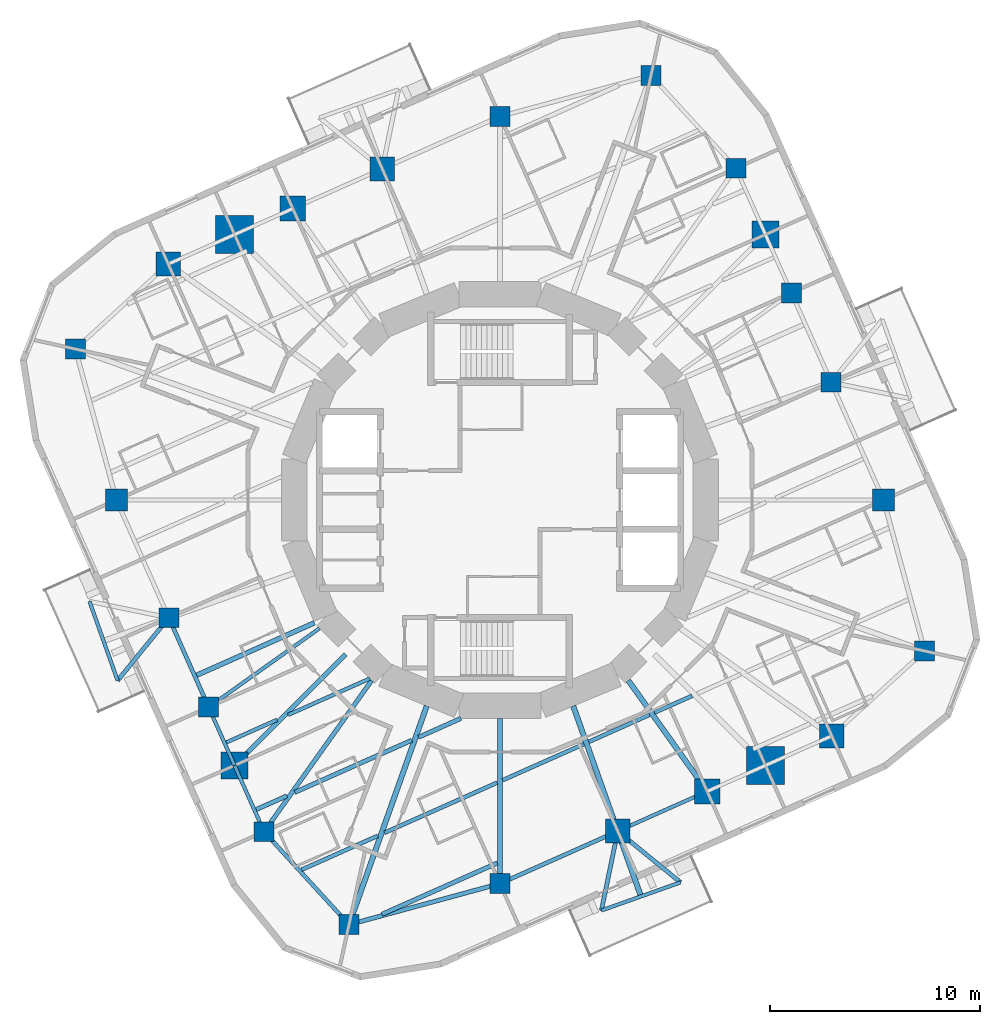
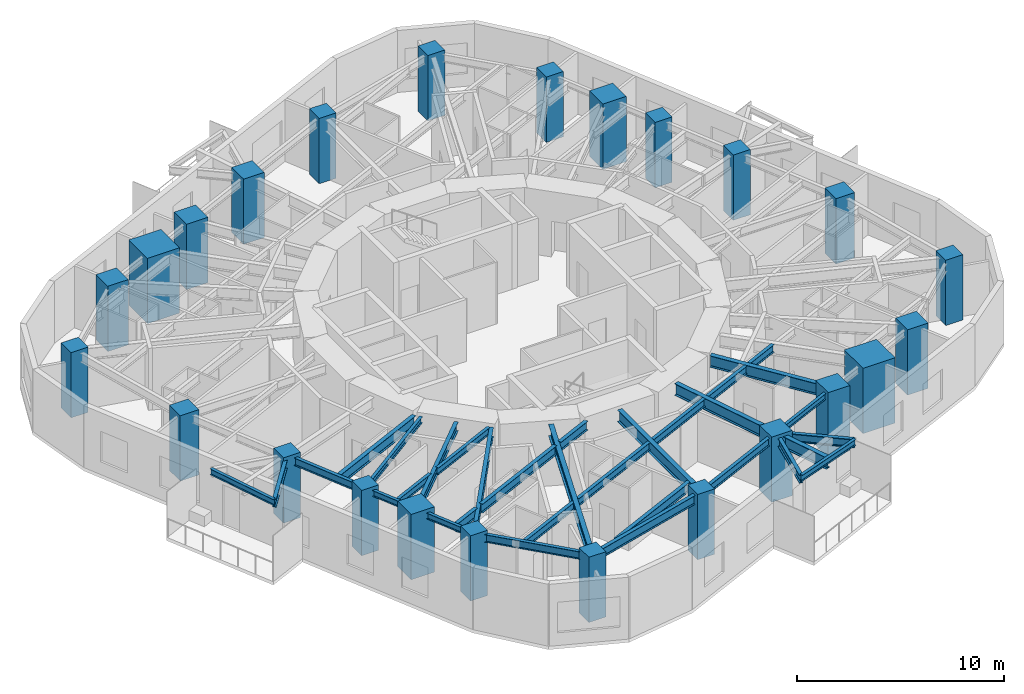
# One storey, part 1 of 12: 31 beams, 24 columns.
"""IFC4 building model written with IfcOpenShell, lengths in metres."""

from ifc_helpers import new_model, si_unit, direction, frame, origin, origin_2d, place, context, subcontext, project, spatial, rectangle, i_section, extrude, material, material_profile, profile_set, type_object, element, save


model = new_model("IFC4")

# Units and contexts
model_context = context("Model", 3, precision=1e-05, world=origin(), true_north=direction((0.0, 1.0)))
body_context = subcontext(model_context, "Body", "Model", "MODEL_VIEW")
ifc_project = project(units=[si_unit("LENGTHUNIT", "METRE"), si_unit("AREAUNIT", "SQUARE_METRE"), si_unit("VOLUMEUNIT", "CUBIC_METRE"), si_unit("PLANEANGLEUNIT", "RADIAN"), si_unit("MASSUNIT", "GRAM", prefix="KILO")], contexts=[model_context])

# Site, building, storey
site_placement = place(None, origin())
site = spatial("IfcSite", under=ifc_project, at=site_placement, CompositionType="ELEMENT")
building_placement = place(site_placement, origin())
building = spatial("IfcBuilding", under=site, at=building_placement, Name="Nakasero Lantern House", CompositionType="ELEMENT")
storey_placement = place(building_placement, frame((0.0, 0.0, 201.699951171875)))
storey = spatial("IfcBuildingStorey", under=building, at=storey_placement, Name="L49", CompositionType="ELEMENT", Elevation=201.699951171875)

# Columns
ifc_material_1 = material(Name="Concrete C45/55", Category="concrete")
ifc_material_profile_1 = material_profile(ifc_material_1, rectangle(XDim=1.300048828125, YDim=1.300048828125, at=origin_2d()), Name="RC 1300x1300")
ifc_profile_set_1 = profile_set([ifc_material_profile_1], Name="Concrete C45/55")
column_type_1 = type_object("IfcColumnType", Name="Mega column RC 1300x1300 C45/55", PredefinedType="COLUMN", material=ifc_profile_set_1)
for number, where, z_axis, x_axis, name in (
    (1, (12.64892578125, 12.64892578125, 0.0), (0.0, 0.0, 1.0), (1.0, 0.0, 0.0), "Column B5-C06 L49"),
    (2, (-12.64892578125, -12.64892578125, 0.0), (0.0, 0.0, 1.0), (1.0, 0.0, 0.0), "Column B5-C18 L49"),
):
    element("IfcColumn", number, at=place(storey_placement, frame(where, z_axis=z_axis, x_axis=x_axis)), inside=storey, type_object=column_type_1, Name=name, PredefinedType="COLUMN", context=body_context, shape_type="SweptSolid", body=[
        extrude(rectangle(XDim=1.300048828125, YDim=1.300048828125, at=origin_2d()), origin(), (0.0, 0.0, 1.0), 3.85009765625),
    ])
ifc_material_2 = material(Name="Concrete C45/55", Category="concrete")
ifc_material_profile_2 = material_profile(ifc_material_2, rectangle(XDim=1.800048828125, YDim=1.800048828125, at=origin_2d()), Name="RC 1800x1800")
ifc_profile_set_2 = profile_set([ifc_material_profile_2], Name="Concrete C45/55")
column_type_2 = type_object("IfcColumnType", Name="Mega column RC 1800x1800 C45/55", PredefinedType="COLUMN", material=ifc_profile_set_2)
for number, where, z_axis, x_axis, name in (
    (3, (-12.64892578125, 12.64892578125, 0.0), (0.0, 0.0, 1.0), (1.0, 0.0, 0.0), "Column B5-C12 L49"),
    (4, (12.64892578125, -12.64892578125, 0.0), (0.0, 0.0, 1.0), (1.0, 0.0, 0.0), "Column B5-C24 L49"),
):
    element("IfcColumn", number, at=place(storey_placement, frame(where, z_axis=z_axis, x_axis=x_axis)), inside=storey, type_object=column_type_2, Name=name, PredefinedType="COLUMN", context=body_context, shape_type="SweptSolid", body=[
        extrude(rectangle(XDim=1.800048828125, YDim=1.800048828125, at=origin_2d()), origin(), (0.0, 0.0, 1.0), 3.85009765625),
    ])
ifc_material_3 = material(Name="Concrete C45/55", Category="concrete")
ifc_material_profile_3 = material_profile(ifc_material_3, rectangle(XDim=1.050048828125, YDim=1.050048828125, at=origin_2d()), Name="RC 1050x1050")
ifc_profile_set_3 = profile_set([ifc_material_profile_3], Name="Concrete C45/55")
column_type_3 = type_object("IfcColumnType", Name="Ring column RC 1050x1050 C45/55", PredefinedType="COLUMN", material=ifc_profile_set_3)
for number, where, z_axis, x_axis, name in (
    (5, (18.280517578125, 0.0, 0.0), (0.0, 0.0, 1.0), (1.0, 0.0, 0.0), "Column B5-C03 L49"),
    (6, (-18.280517578125, 0.0, 0.0), (0.0, 0.0, 1.0), (1.0, 0.0, 0.0), "Column B5-C15 L49"),
):
    element("IfcColumn", number, at=place(storey_placement, frame(where, z_axis=z_axis, x_axis=x_axis)), inside=storey, type_object=column_type_3, Name=name, PredefinedType="COLUMN", context=body_context, shape_type="SweptSolid", body=[
        extrude(rectangle(XDim=1.050048828125, YDim=1.050048828125, at=origin_2d()), origin(), (0.0, 0.0, 1.0), 3.85009765625),
    ])
ifc_material_4 = material(Name="Concrete C45/55", Category="concrete")
ifc_material_profile_4 = material_profile(ifc_material_4, rectangle(XDim=1.14990234375, YDim=1.14990234375, at=origin_2d()), Name="RC 1150x1150")
ifc_profile_set_4 = profile_set([ifc_material_profile_4], Name="Concrete C45/55")
column_type_4 = type_object("IfcColumnType", Name="Ring column RC 1150x1150 C45/55", PredefinedType="COLUMN", material=ifc_profile_set_4)
for number, where, z_axis, x_axis, name in (
    (7, (15.808837890625, -11.241943359375, 0.0), (0.0, 0.0, 1.0), (1.0, 0.0, 0.0), "Column B5-C01 L49"),
    (8, (-5.611328125, 15.781982421875, 0.0), (0.0, 0.0, 1.0), (1.0, 0.0, 0.0), "Column B5-C10 L49"),
    (9, (-15.808837890625, 11.241943359375, 0.0), (0.0, 0.0, 1.0), (1.0, 0.0, 0.0), "Column B5-C13 L49"),
    (10, (5.611328125, -15.781982421875, 0.0), (0.0, 0.0, 1.0), (1.0, 0.0, 0.0), "Column B5-C22 L49"),
):
    element("IfcColumn", number, at=place(storey_placement, frame(where, z_axis=z_axis, x_axis=x_axis)), inside=storey, type_object=column_type_4, Name=name, PredefinedType="COLUMN", context=body_context, shape_type="SweptSolid", body=[
        extrude(rectangle(XDim=1.14990234375, YDim=1.14990234375, at=origin_2d()), origin(), (0.0, 0.0, 1.0), 3.85009765625),
    ])
ifc_material_5 = material(Name="Concrete C45/55", Category="concrete")
ifc_material_profile_5 = material_profile(ifc_material_5, rectangle(XDim=1.199951171875, YDim=1.199951171875, at=origin_2d()), Name="RC 1200x1200")
ifc_profile_set_5 = profile_set([ifc_material_profile_5], Name="Concrete C45/55")
column_type_5 = type_object("IfcColumnType", Name="Ring column RC 1200x1200 C45/55", PredefinedType="COLUMN", material=ifc_profile_set_5)
for number, where, z_axis, x_axis, name in (
    (11, (-9.87353515625, 13.884521484375, 0.0), (0.0, 0.0, 1.0), (1.0, 0.0, 0.0), "Column B5-C11 L49"),
    (12, (9.87353515625, -13.884521484375, 0.0), (0.0, 0.0, 1.0), (1.0, 0.0, 0.0), "Column B5-C23 L49"),
):
    element("IfcColumn", number, at=place(storey_placement, frame(where, z_axis=z_axis, x_axis=x_axis)), inside=storey, type_object=column_type_5, Name=name, PredefinedType="COLUMN", context=body_context, shape_type="SweptSolid", body=[
        extrude(rectangle(XDim=1.199951171875, YDim=1.199951171875, at=origin_2d()), origin(), (0.0, 0.0, 1.0), 3.85009765625),
    ])
ifc_material_6 = material(Name="Concrete C45/55", Category="concrete")
ifc_material_profile_6 = material_profile(ifc_material_6, rectangle(XDim=0.949951171875, YDim=0.949951171875, at=origin_2d()), Name="RC 950x950")
ifc_profile_set_6 = profile_set([ifc_material_profile_6], Name="Concrete C45/55")
column_type_6 = type_object("IfcColumnType", Name="Ring column RC 950x950 C45/55", PredefinedType="COLUMN", material=ifc_profile_set_6)
for number, where, z_axis, x_axis, name in (
    (13, (20.2353515625, -7.19482421875, 0.0), (0.0, 0.0, 1.0), (1.0, 0.0, 0.0), "Column B5-C02 L49"),
    (14, (15.781982421875, 5.611328125, 0.0), (0.0, 0.0, 1.0), (1.0, 0.0, 0.0), "Column B5-C04 L49"),
    (15, (13.884521484375, 9.87353515625, 0.0), (0.0, 0.0, 1.0), (1.0, 0.0, 0.0), "Column B5-C05 L49"),
    (16, (11.241943359375, 15.808837890625, 0.0), (0.0, 0.0, 1.0), (1.0, 0.0, 0.0), "Column B5-C07 L49"),
    (17, (7.19482421875, 20.2353515625, 0.0), (0.0, 0.0, 1.0), (1.0, 0.0, 0.0), "Column B5-C08 L49"),
    (18, (0.0, 18.280517578125, 0.0), (0.0, 0.0, 1.0), (1.0, 0.0, 0.0), "Column B5-C09 L49"),
    (19, (-20.2353515625, 7.19482421875, 0.0), (0.0, 0.0, 1.0), (1.0, 0.0, 0.0), "Column B5-C14 L49"),
    (20, (-15.781982421875, -5.611328125, 0.0), (0.0, 0.0, 1.0), (1.0, 0.0, 0.0), "Column B5-C16 L49"),
    (21, (-13.884521484375, -9.87353515625, 0.0), (0.0, 0.0, 1.0), (1.0, 0.0, 0.0), "Column B5-C17 L49"),
    (22, (-11.241943359375, -15.808837890625, 0.0), (0.0, 0.0, 1.0), (1.0, 0.0, 0.0), "Column B5-C19 L49"),
    (23, (-7.19482421875, -20.2353515625, 0.0), (0.0, 0.0, 1.0), (1.0, 0.0, 0.0), "Column B5-C20 L49"),
    (24, (0.0, -18.280517578125, 0.0), (0.0, 0.0, 1.0), (1.0, 0.0, 0.0), "Column B5-C21 L49"),
):
    element("IfcColumn", number, at=place(storey_placement, frame(where, z_axis=z_axis, x_axis=x_axis)), inside=storey, type_object=column_type_6, Name=name, PredefinedType="COLUMN", context=body_context, shape_type="SweptSolid", body=[
        extrude(rectangle(XDim=0.949951171875, YDim=0.949951171875, at=origin_2d()), origin(), (0.0, 0.0, 1.0), 3.85009765625),
    ])

# Beams
ifc_material_7 = material(Name="Steel S355", Category="steel")
ifc_material_profile_7 = material_profile(ifc_material_7, i_section(OverallWidth=0.199462890625, OverallDepth=0.491943359375, WebThickness=0.01806640625, FlangeThickness=0.031982421875, FilletRadius=0.01025390625, at=origin_2d()), Name="UB 457x191x161")
ifc_profile_set_7 = profile_set([ifc_material_profile_7], Name="Steel S355")
beam_type_1 = type_object("IfcBeamType", Name="Balcony splay beam UB 457x191x161", PredefinedType="BEAM", material=ifc_profile_set_7)
for number, where, z_axis, x_axis, name in (
    (25, (-15.781982421875, -5.611328125, 3.404052734375), (-0.632165712937, -0.774833215206, 0.0), (0.774833215206, -0.632165712937, 0.0), "Balcony splay beam L50 B5-C16A"),
    (26, (5.611328125, -15.781982421875, 3.404052734375), (0.774833215206, -0.632165712937, 0.0), (0.632165712937, 0.774833215206, 0.0), "Balcony splay beam L50 B5-C22A"),
):
    element("IfcBeam", number, at=place(storey_placement, frame(where, z_axis=z_axis, x_axis=x_axis)), inside=storey, type_object=beam_type_1, Name=name, PredefinedType="BEAM", context=body_context, shape_type="SweptSolid", body=[
        extrude(i_section(OverallWidth=0.199462890625, OverallDepth=0.491943359375, WebThickness=0.01806640625, FlangeThickness=0.031982421875, FilletRadius=0.01025390625, at=origin_2d()), origin(), (0.0, 0.0, 1.0), 3.85888671875),
    ])
beam_1_placement = place(storey_placement, frame((5.611328125, -15.781982421875, 3.404052734375), z_axis=(-0.201831438605, -0.979420272605, 0.0), x_axis=(0.979420272605, -0.201831438605, 0.0)))
element("IfcBeam", 27, at=beam_1_placement, inside=storey, type_object=beam_type_1, Name="Balcony splay beam L50 B5-C22B", PredefinedType="BEAM", context=body_context, shape_type="SweptSolid", body=[
    extrude(i_section(OverallWidth=0.199462890625, OverallDepth=0.491943359375, WebThickness=0.01806640625, FlangeThickness=0.031982421875, FilletRadius=0.01025390625, at=origin_2d()), origin(), (0.0, 0.0, 1.0), 3.858642578125),
])
ifc_material_8 = material(Name="Steel S355", Category="steel")
ifc_material_profile_8 = material_profile(ifc_material_8, i_section(OverallWidth=0.17138671875, OverallDepth=0.35498046875, WebThickness=0.00732421875, FlangeThickness=0.011474609375, FilletRadius=0.01025390625, at=origin_2d()), Name="UB 356x171x51")
ifc_profile_set_8 = profile_set([ifc_material_profile_8], Name="Steel S355")
beam_type_2 = type_object("IfcBeamType", Name="Balcony tie beam UB 356x171x51", PredefinedType="BEAM", material=ifc_profile_set_8)
for number, where, z_axis, x_axis, name in (
    (28, (-18.221435546875, -8.601318359375, 3.47265625), (-0.334971134582, 0.94222839004, 0.0), (-0.94222839004, -0.334971134582, 0.0), "Balcony tie beam L50 B5-C16"),
    (29, (8.601318359375, -18.221435546875, 3.47265625), (-0.94222839004, -0.334971134582, 0.0), (0.334971134582, -0.94222839004, 0.0), "Balcony tie beam L50 B5-C22"),
):
    element("IfcBeam", number, at=place(storey_placement, frame(where, z_axis=z_axis, x_axis=x_axis)), inside=storey, type_object=beam_type_2, Name=name, PredefinedType="BEAM", context=body_context, shape_type="SweptSolid", body=[
        extrude(i_section(OverallWidth=0.17138671875, OverallDepth=0.35498046875, WebThickness=0.00732421875, FlangeThickness=0.011474609375, FilletRadius=0.01025390625, at=origin_2d()), origin(), (0.0, 0.0, 1.0), 4.0),
    ])
ifc_material_9 = material(Name="Steel S355", Category="steel")
ifc_material_profile_9 = material_profile(ifc_material_9, i_section(OverallWidth=0.177978515625, OverallDepth=0.406494140625, WebThickness=0.0078125, FlangeThickness=0.0126953125, FilletRadius=0.01025390625, at=origin_2d()), Name="UB 406x178x60")
ifc_profile_set_9 = profile_set([ifc_material_profile_9], Name="Steel S355")
beam_type_3 = type_object("IfcBeamType", Name="Infill beam UB 406x178x60", PredefinedType="JOIST", material=ifc_profile_set_9)
beam_2_placement = place(storey_placement, frame((-13.04248046875, -11.5537109375, 3.44677734375), z_axis=(0.913529602849, 0.406772251658, 0.0), x_axis=(-0.406772251658, 0.913529602849, 0.0)))
element("IfcBeam", 30, at=beam_2_placement, inside=storey, type_object=beam_type_3, Name="Infill beam L50 06.1", PredefinedType="JOIST", context=body_context, shape_type="SweptSolid", body=[
    extrude(i_section(OverallWidth=0.177978515625, OverallDepth=0.406494140625, WebThickness=0.0078125, FlangeThickness=0.0126953125, FilletRadius=0.01025390625, at=origin_2d()), origin(), (0.0, 0.0, 1.0), 2.64453125),
])
beam_3_placement = place(storey_placement, frame((-10.09130859375, -10.23974609375, 3.44677734375), z_axis=(0.91354134882, 0.406745871517, 0.0), x_axis=(-0.406745871517, 0.91354134882, 0.0)))
element("IfcBeam", 31, at=beam_3_placement, inside=storey, type_object=beam_type_3, Name="Infill beam L50 06.2", PredefinedType="JOIST", context=body_context, shape_type="SweptSolid", body=[
    extrude(i_section(OverallWidth=0.177978515625, OverallDepth=0.406494140625, WebThickness=0.0078125, FlangeThickness=0.0126953125, FilletRadius=0.01025390625, at=origin_2d()), origin(), (0.0, 0.0, 1.0), 4.250732421875),
])
ifc_material_10 = material(Name="Steel S355", Category="steel")
ifc_material_profile_10 = material_profile(ifc_material_10, i_section(OverallWidth=0.18994140625, OverallDepth=0.453369140625, WebThickness=0.008544921875, FlangeThickness=0.0126953125, FilletRadius=0.01025390625, at=origin_2d()), Name="UB 457x191x67")
ifc_profile_set_10 = profile_set([ifc_material_profile_10], Name="Steel S355")
beam_type_4 = type_object("IfcBeamType", Name="Infill beam UB 457x191x67", PredefinedType="JOIST", material=ifc_profile_set_10)
beam_4_placement = place(storey_placement, frame((-9.457275390625, -17.619873046875, 3.42333984375), z_axis=(0.91354552237, 0.406736497695, 0.0), x_axis=(-0.406736497695, 0.91354552237, 0.0)))
element("IfcBeam", 32, at=beam_4_placement, inside=storey, type_object=beam_type_4, Name="Infill beam L50 04.1", PredefinedType="JOIST", context=body_context, shape_type="SweptSolid", body=[
    extrude(i_section(OverallWidth=0.18994140625, OverallDepth=0.453369140625, WebThickness=0.008544921875, FlangeThickness=0.0126953125, FilletRadius=0.01025390625, at=origin_2d()), origin(), (0.0, 0.0, 1.0), 3.9765625),
])
beam_5_placement = place(storey_placement, frame((-5.50439453125, -15.860107421875, 3.42333984375), z_axis=(0.913539401307, 0.406750245556, 0.0), x_axis=(-0.406750245556, 0.913539401307, 0.0)))
element("IfcBeam", 33, at=beam_5_placement, inside=storey, type_object=beam_type_4, Name="Infill beam L50 04.2", PredefinedType="JOIST", context=body_context, shape_type="SweptSolid", body=[
    extrude(i_section(OverallWidth=0.18994140625, OverallDepth=0.453369140625, WebThickness=0.008544921875, FlangeThickness=0.0126953125, FilletRadius=0.01025390625, at=origin_2d()), origin(), (0.0, 0.0, 1.0), 5.886474609375),
])
beam_6_placement = place(storey_placement, frame((0.126953125, -13.352783203125, 3.42333984375), z_axis=(0.913552455182, 0.40672092598, 0.0), x_axis=(-0.40672092598, 0.913552455182, 0.0)))
element("IfcBeam", 34, at=beam_6_placement, inside=storey, type_object=beam_type_4, Name="Infill beam L50 04.3", PredefinedType="JOIST", context=body_context, shape_type="SweptSolid", body=[
    extrude(i_section(OverallWidth=0.18994140625, OverallDepth=0.453369140625, WebThickness=0.008544921875, FlangeThickness=0.0126953125, FilletRadius=0.01025390625, at=origin_2d()), origin(), (0.0, 0.0, 1.0), 4.238525390625),
])
beam_7_placement = place(storey_placement, frame((4.2333984375, -11.5244140625, 3.42333984375), z_axis=(0.913544106346, 0.406739678123, 0.0), x_axis=(-0.406739678123, 0.913544106346, 0.0)))
element("IfcBeam", 35, at=beam_7_placement, inside=storey, type_object=beam_type_4, Name="Infill beam L50 04.4", PredefinedType="JOIST", context=body_context, shape_type="SweptSolid", body=[
    extrude(i_section(OverallWidth=0.18994140625, OverallDepth=0.453369140625, WebThickness=0.008544921875, FlangeThickness=0.0126953125, FilletRadius=0.01025390625, at=origin_2d()), origin(), (0.0, 0.0, 1.0), 3.16455078125),
])
beam_8_placement = place(storey_placement, frame((7.360595703125, -10.132080078125, 3.42333984375), z_axis=(0.913539401307, 0.406750245556, 0.0), x_axis=(-0.406750245556, 0.913539401307, 0.0)))
element("IfcBeam", 36, at=beam_8_placement, inside=storey, type_object=beam_type_4, Name="Infill beam L50 04.5", PredefinedType="JOIST", context=body_context, shape_type="SweptSolid", body=[
    extrude(i_section(OverallWidth=0.18994140625, OverallDepth=0.453369140625, WebThickness=0.008544921875, FlangeThickness=0.0126953125, FilletRadius=0.01025390625, at=origin_2d()), origin(), (0.0, 0.0, 1.0), 1.962158203125),
])
ifc_material_11 = material(Name="Steel S355", Category="steel")
ifc_material_profile_11 = material_profile(ifc_material_11, i_section(OverallWidth=0.2099609375, OverallDepth=0.53662109375, WebThickness=0.0107421875, FlangeThickness=0.017333984375, FilletRadius=0.0126953125, at=origin_2d()), Name="UB 533x210x101")
ifc_profile_set_11 = profile_set([ifc_material_profile_11], Name="Steel S355")
beam_type_5 = type_object("IfcBeamType", Name="Infill beam UB 533x210x101", PredefinedType="JOIST", material=ifc_profile_set_11)
beam_9_placement = place(storey_placement, frame((-5.626708984375, -19.745849609375, 3.381591796875), z_axis=(0.913540433669, 0.406747926919, 0.0), x_axis=(-0.406747926919, 0.913540433669, 0.0)))
element("IfcBeam", 37, at=beam_9_placement, inside=storey, type_object=beam_type_5, Name="Infill beam L50 03.1", PredefinedType="JOIST", context=body_context, shape_type="SweptSolid", body=[
    extrude(i_section(OverallWidth=0.2099609375, OverallDepth=0.53662109375, WebThickness=0.0107421875, FlangeThickness=0.017333984375, FilletRadius=0.0126953125, at=origin_2d()), origin(), (0.0, 0.0, 1.0), 6.020263671875),
])
ifc_material_12 = material(Name="Steel S355", Category="steel")
ifc_material_profile_12 = material_profile(ifc_material_12, i_section(OverallWidth=0.208740234375, OverallDepth=0.5283203125, WebThickness=0.009521484375, FlangeThickness=0.01318359375, FilletRadius=0.0126953125, at=origin_2d()), Name="UB 533x210x82")
ifc_profile_set_12 = profile_set([ifc_material_profile_12], Name="Steel S355")
beam_type_6 = type_object("IfcBeamType", Name="Infill beam UB 533x210x82", PredefinedType="JOIST", material=ifc_profile_set_12)
beam_10_placement = place(storey_placement, frame((-11.618896484375, -14.751220703125, 3.385986328125), z_axis=(0.913522313414, 0.406788621884, 0.0), x_axis=(-0.406788621884, 0.913522313414, 0.0)))
element("IfcBeam", 38, at=beam_10_placement, inside=storey, type_object=beam_type_6, Name="Infill beam L50 05.1", PredefinedType="JOIST", context=body_context, shape_type="SweptSolid", body=[
    extrude(i_section(OverallWidth=0.208740234375, OverallDepth=0.5283203125, WebThickness=0.009521484375, FlangeThickness=0.01318359375, FilletRadius=0.0126953125, at=origin_2d()), origin(), (0.0, 0.0, 1.0), 1.6025390625),
])
beam_11_placement = place(storey_placement, frame((-9.778076171875, -13.931640625, 3.385986328125), z_axis=(0.913537341067, 0.406754872713, 0.0), x_axis=(-0.406754872713, 0.913537341067, 0.0)))
element("IfcBeam", 39, at=beam_11_placement, inside=storey, type_object=beam_type_6, Name="Infill beam L50 05.2", PredefinedType="JOIST", context=body_context, shape_type="SweptSolid", body=[
    extrude(i_section(OverallWidth=0.208740234375, OverallDepth=0.5283203125, WebThickness=0.009521484375, FlangeThickness=0.01318359375, FilletRadius=0.0126953125, at=origin_2d()), origin(), (0.0, 0.0, 1.0), 6.099365234375),
])
beam_12_placement = place(storey_placement, frame((-3.885986328125, -11.308349609375, 3.385986328125), z_axis=(0.913538457968, 0.406752364238, 0.0), x_axis=(-0.406752364238, 0.913538457968, 0.0)))
element("IfcBeam", 40, at=beam_12_placement, inside=storey, type_object=beam_type_6, Name="Infill beam L50 05.3", PredefinedType="JOIST", context=body_context, shape_type="SweptSolid", body=[
    extrude(i_section(OverallWidth=0.208740234375, OverallDepth=0.5283203125, WebThickness=0.009521484375, FlangeThickness=0.01318359375, FilletRadius=0.0126953125, at=origin_2d()), origin(), (0.0, 0.0, 1.0), 2.213623046875),
])
ifc_material_13 = material(Name="Steel S355", Category="steel")
ifc_material_profile_13 = material_profile(ifc_material_13, i_section(OverallWidth=0.22900390625, OverallDepth=0.6123046875, WebThickness=0.011962890625, FlangeThickness=0.01953125, FilletRadius=0.0126953125, at=origin_2d()), Name="UB 610x229x125")
ifc_profile_set_13 = profile_set([ifc_material_profile_13], Name="Steel S355")
beam_type_7 = type_object("IfcBeamType", Name="Infill beam UB 610x229x125", PredefinedType="JOIST", material=ifc_profile_set_13)
beam_13_placement = place(storey_placement, frame((-14.457763671875, -8.3525390625, 3.343994140625), z_axis=(0.913552627294, 0.406720539393, 0.0), x_axis=(-0.406720539393, 0.913552627294, 0.0)))
element("IfcBeam", 41, at=beam_13_placement, inside=storey, type_object=beam_type_7, Name="Infill beam L50 07.1", PredefinedType="JOIST", context=body_context, shape_type="SweptSolid", body=[
    extrude(i_section(OverallWidth=0.22900390625, OverallDepth=0.6123046875, WebThickness=0.011962890625, FlangeThickness=0.01953125, FilletRadius=0.0126953125, at=origin_2d()), origin(), (0.0, 0.0, 1.0), 6.14794921875),
])
ifc_material_14 = material(Name="Steel S355", Category="steel")
ifc_material_profile_14 = material_profile(ifc_material_14, i_section(OverallWidth=0.17138671875, OverallDepth=0.35498046875, WebThickness=0.00732421875, FlangeThickness=0.011474609375, FilletRadius=0.01025390625, at=origin_2d()), Name="UB 356x171x51")
ifc_profile_set_14 = profile_set([ifc_material_profile_14], Name="Steel S355")
beam_type_8 = type_object("IfcBeamType", Name="Primary beam UB 356x171x51, span 6 to 9 m", PredefinedType="BEAM", material=ifc_profile_set_14)
beam_14_placement = place(storey_placement, frame((-13.884521484375, -9.87353515625, 3.47265625), z_axis=(0.8149430702, 0.57954101868, 0.0), x_axis=(-0.57954101868, 0.8149430702, 0.0)))
element("IfcBeam", 42, at=beam_14_placement, inside=storey, type_object=beam_type_8, Name="Primary beam L50 B5-C17", PredefinedType="BEAM", context=body_context, shape_type="SweptSolid", body=[
    extrude(i_section(OverallWidth=0.17138671875, OverallDepth=0.35498046875, WebThickness=0.00732421875, FlangeThickness=0.011474609375, FilletRadius=0.01025390625, at=origin_2d()), origin(), (0.0, 0.0, 1.0), 6.48193359375),
])
ifc_material_15 = material(Name="Steel S355", Category="steel")
ifc_material_profile_15 = material_profile(ifc_material_15, i_section(OverallWidth=0.2099609375, OverallDepth=0.53662109375, WebThickness=0.0107421875, FlangeThickness=0.017333984375, FilletRadius=0.0126953125, at=origin_2d()), Name="UB 533x210x101")
ifc_profile_set_15 = profile_set([ifc_material_profile_15], Name="Steel S355")
beam_type_9 = type_object("IfcBeamType", Name="Primary beam UB 533x210x101, span 6 to 9 m", PredefinedType="BEAM", material=ifc_profile_set_15)
beam_15_placement = place(storey_placement, frame((-12.64892578125, -12.64892578125, 3.381591796875), z_axis=(0.707106781187, 0.707106781187, 0.0), x_axis=(-0.707106781187, 0.707106781187, 0.0)))
element("IfcBeam", 43, at=beam_15_placement, inside=storey, type_object=beam_type_9, Name="Primary beam L50 B5-C18", PredefinedType="BEAM", context=body_context, shape_type="SweptSolid", body=[
    extrude(i_section(OverallWidth=0.2099609375, OverallDepth=0.53662109375, WebThickness=0.0107421875, FlangeThickness=0.017333984375, FilletRadius=0.0126953125, at=origin_2d()), origin(), (0.0, 0.0, 1.0), 7.48046875),
])
beam_16_placement = place(storey_placement, frame((-11.241943359375, -15.808837890625, 3.381591796875), z_axis=(0.579536824926, 0.814946052543, 0.0), x_axis=(-0.814946052543, 0.579536824926, 0.0)))
element("IfcBeam", 44, at=beam_16_placement, inside=storey, type_object=beam_type_9, Name="Primary beam L50 B5-C19", PredefinedType="BEAM", context=body_context, shape_type="SweptSolid", body=[
    extrude(i_section(OverallWidth=0.2099609375, OverallDepth=0.53662109375, WebThickness=0.0107421875, FlangeThickness=0.017333984375, FilletRadius=0.0126953125, at=origin_2d()), origin(), (0.0, 0.0, 1.0), 8.84326171875),
])
ifc_material_16 = material(Name="Steel S355", Category="steel")
ifc_material_profile_16 = material_profile(ifc_material_16, i_section(OverallWidth=0.253662109375, OverallDepth=0.68359375, WebThickness=0.012451171875, FlangeThickness=0.01904296875, FilletRadius=0.01513671875, at=origin_2d()), Name="UB 686x254x140")
ifc_profile_set_16 = profile_set([ifc_material_profile_16], Name="Steel S355")
beam_type_10 = type_object("IfcBeamType", Name="Primary beam UB 686x254x140, span 6 to 9 m", PredefinedType="BEAM", material=ifc_profile_set_16)
beam_17_placement = place(storey_placement, frame((0.0, -18.280517578125, 3.308349609375), z_axis=(0.0, 1.0, 0.0), x_axis=(-1.0, 0.0, 0.0)))
element("IfcBeam", 45, at=beam_17_placement, inside=storey, type_object=beam_type_10, Name="Primary beam L50 B5-C21", PredefinedType="BEAM", context=body_context, shape_type="SweptSolid", body=[
    extrude(i_section(OverallWidth=0.253662109375, OverallDepth=0.68359375, WebThickness=0.012451171875, FlangeThickness=0.01904296875, FilletRadius=0.01513671875, at=origin_2d()), origin(), (0.0, 0.0, 1.0), 7.87255859375),
])
beam_18_placement = place(storey_placement, frame((9.87353515625, -13.884521484375, 3.308349609375), z_axis=(-0.57954101868, 0.8149430702, 0.0), x_axis=(-0.8149430702, -0.57954101868, 0.0)))
element("IfcBeam", 46, at=beam_18_placement, inside=storey, type_object=beam_type_10, Name="Primary beam L50 B5-C23", PredefinedType="BEAM", context=body_context, shape_type="SweptSolid", body=[
    extrude(i_section(OverallWidth=0.253662109375, OverallDepth=0.68359375, WebThickness=0.012451171875, FlangeThickness=0.01904296875, FilletRadius=0.01513671875, at=origin_2d()), origin(), (0.0, 0.0, 1.0), 6.48193359375),
])
ifc_material_17 = material(Name="Steel S355", Category="steel")
ifc_material_profile_17 = material_profile(ifc_material_17, i_section(OverallWidth=0.253662109375, OverallDepth=0.68359375, WebThickness=0.012451171875, FlangeThickness=0.01904296875, FilletRadius=0.01513671875, at=origin_2d()), Name="UB 686x254x140")
ifc_profile_set_17 = profile_set([ifc_material_profile_17], Name="Steel S355")
beam_type_11 = type_object("IfcBeamType", Name="Primary beam UB 686x254x140, span 9 to 12 m", PredefinedType="BEAM", material=ifc_profile_set_17)
beam_19_placement = place(storey_placement, frame((-7.19482421875, -20.2353515625, 3.308349609375), z_axis=(0.335020995468, 0.942210662535, 0.0), x_axis=(-0.942210662535, 0.335020995468, 0.0)))
element("IfcBeam", 47, at=beam_19_placement, inside=storey, type_object=beam_type_11, Name="Primary beam L50 B5-C20", PredefinedType="BEAM", context=body_context, shape_type="SweptSolid", body=[
    extrude(i_section(OverallWidth=0.253662109375, OverallDepth=0.68359375, WebThickness=0.012451171875, FlangeThickness=0.01904296875, FilletRadius=0.01513671875, at=origin_2d()), origin(), (0.0, 0.0, 1.0), 11.054931640625),
])
ifc_material_18 = material(Name="Steel S355", Category="steel")
ifc_material_profile_18 = material_profile(ifc_material_18, i_section(OverallWidth=0.255859375, OverallDepth=0.69287109375, WebThickness=0.014404296875, FlangeThickness=0.023681640625, FilletRadius=0.01513671875, at=origin_2d()), Name="UB 686x254x170")
ifc_profile_set_18 = profile_set([ifc_material_profile_18], Name="Steel S355")
beam_type_12 = type_object("IfcBeamType", Name="Primary beam UB 686x254x170, span 6 to 9 m", PredefinedType="BEAM", material=ifc_profile_set_18)
beam_20_placement = place(storey_placement, frame((6.717041015625, -18.891357421875, 3.3037109375), z_axis=(-0.335030177005, 0.942207397814, 0.0), x_axis=(-0.942207397814, -0.335030177005, 0.0)))
element("IfcBeam", 48, at=beam_20_placement, inside=storey, type_object=beam_type_12, Name="Primary beam L50 B5-C22", PredefinedType="BEAM", context=body_context, shape_type="SweptSolid", body=[
    extrude(i_section(OverallWidth=0.255859375, OverallDepth=0.69287109375, WebThickness=0.014404296875, FlangeThickness=0.023681640625, FilletRadius=0.01513671875, at=origin_2d()), origin(), (0.0, 0.0, 1.0), 9.62841796875),
])
ifc_material_19 = material(Name="Steel S355", Category="steel")
ifc_material_profile_19 = material_profile(ifc_material_19, i_section(OverallWidth=0.17138671875, OverallDepth=0.35498046875, WebThickness=0.00732421875, FlangeThickness=0.011474609375, FilletRadius=0.01025390625, at=origin_2d()), Name="UB 356x171x51")
ifc_profile_set_19 = profile_set([ifc_material_profile_19], Name="Steel S355")
beam_type_13 = type_object("IfcBeamType", Name="Ring beam UB 356x171x51", PredefinedType="BEAM", material=ifc_profile_set_19)
beam_21_placement = place(storey_placement, frame((-13.884521484375, -9.87353515625, 3.47265625), z_axis=(0.40671251915, -0.913556197925, 0.0), x_axis=(0.913556197925, 0.40671251915, 0.0)))
element("IfcBeam", 49, at=beam_21_placement, inside=storey, type_object=beam_type_13, Name="Ring beam L50 B5-C17", PredefinedType="BEAM", context=body_context, shape_type="SweptSolid", body=[
    extrude(i_section(OverallWidth=0.17138671875, OverallDepth=0.35498046875, WebThickness=0.00732421875, FlangeThickness=0.011474609375, FilletRadius=0.01025390625, at=origin_2d()), origin(), (0.0, 0.0, 1.0), 3.0380859375),
])
beam_22_placement = place(storey_placement, frame((-12.64892578125, -12.64892578125, 3.47265625), z_axis=(0.406760506795, -0.913534832457, 0.0), x_axis=(0.913534832457, 0.406760506795, 0.0)))
element("IfcBeam", 50, at=beam_22_placement, inside=storey, type_object=beam_type_13, Name="Ring beam L50 B5-C18", PredefinedType="BEAM", context=body_context, shape_type="SweptSolid", body=[
    extrude(i_section(OverallWidth=0.17138671875, OverallDepth=0.35498046875, WebThickness=0.00732421875, FlangeThickness=0.011474609375, FilletRadius=0.01025390625, at=origin_2d()), origin(), (0.0, 0.0, 1.0), 3.458984375),
])
beam_23_placement = place(storey_placement, frame((5.611328125, -15.781982421875, 3.47265625), z_axis=(0.913561058639, 0.406701600856, 0.0), x_axis=(-0.406701600856, 0.913561058639, 0.0)))
element("IfcBeam", 51, at=beam_23_placement, inside=storey, type_object=beam_type_13, Name="Ring beam L50 B5-C22", PredefinedType="BEAM", context=body_context, shape_type="SweptSolid", body=[
    extrude(i_section(OverallWidth=0.17138671875, OverallDepth=0.35498046875, WebThickness=0.00732421875, FlangeThickness=0.011474609375, FilletRadius=0.01025390625, at=origin_2d()), origin(), (0.0, 0.0, 1.0), 4.66552734375),
])
ifc_material_20 = material(Name="Steel S355", Category="steel")
ifc_material_profile_20 = material_profile(ifc_material_20, i_section(OverallWidth=0.18994140625, OverallDepth=0.453369140625, WebThickness=0.008544921875, FlangeThickness=0.0126953125, FilletRadius=0.01025390625, at=origin_2d()), Name="UB 457x191x67")
ifc_profile_set_20 = profile_set([ifc_material_profile_20], Name="Steel S355")
beam_type_14 = type_object("IfcBeamType", Name="Ring beam UB 457x191x67", PredefinedType="BEAM", material=ifc_profile_set_20)
beam_24_placement = place(storey_placement, frame((-15.781982421875, -5.611328125, 3.42333984375), z_axis=(0.406701600856, -0.913561058639, 0.0), x_axis=(0.913561058639, 0.406701600856, 0.0)))
element("IfcBeam", 52, at=beam_24_placement, inside=storey, type_object=beam_type_14, Name="Ring beam L50 B5-C16", PredefinedType="BEAM", context=body_context, shape_type="SweptSolid", body=[
    extrude(i_section(OverallWidth=0.18994140625, OverallDepth=0.453369140625, WebThickness=0.008544921875, FlangeThickness=0.0126953125, FilletRadius=0.01025390625, at=origin_2d()), origin(), (0.0, 0.0, 1.0), 4.66552734375),
])
beam_25_placement = place(storey_placement, frame((-11.241943359375, -15.808837890625, 3.42333984375), z_axis=(0.674771099966, -0.73802707447, 0.0), x_axis=(0.73802707447, 0.674771099966, 0.0)))
element("IfcBeam", 53, at=beam_25_placement, inside=storey, type_object=beam_type_14, Name="Ring beam L50 B5-C19", PredefinedType="BEAM", context=body_context, shape_type="SweptSolid", body=[
    extrude(i_section(OverallWidth=0.18994140625, OverallDepth=0.453369140625, WebThickness=0.008544921875, FlangeThickness=0.0126953125, FilletRadius=0.01025390625, at=origin_2d()), origin(), (0.0, 0.0, 1.0), 5.997802734375),
])
ifc_material_21 = material(Name="Steel S355", Category="steel")
ifc_material_profile_21 = material_profile(ifc_material_21, i_section(OverallWidth=0.19140625, OverallDepth=0.4599609375, WebThickness=0.010009765625, FlangeThickness=0.01611328125, FilletRadius=0.01025390625, at=origin_2d()), Name="UB 457x191x82")
ifc_profile_set_21 = profile_set([ifc_material_profile_21], Name="Steel S355")
beam_type_15 = type_object("IfcBeamType", Name="Ring beam UB 457x191x82", PredefinedType="BEAM", material=ifc_profile_set_21)
beam_26_placement = place(storey_placement, frame((0.0, -18.280517578125, 3.420166015625), z_axis=(0.913532698569, 0.406765299215, 0.0), x_axis=(-0.406765299215, 0.913532698569, 0.0)))
element("IfcBeam", 54, at=beam_26_placement, inside=storey, type_object=beam_type_15, Name="Ring beam L50 B5-C21", PredefinedType="BEAM", context=body_context, shape_type="SweptSolid", body=[
    extrude(i_section(OverallWidth=0.19140625, OverallDepth=0.4599609375, WebThickness=0.010009765625, FlangeThickness=0.01611328125, FilletRadius=0.01025390625, at=origin_2d()), origin(), (0.0, 0.0, 1.0), 6.142333984375),
])
ifc_material_22 = material(Name="Steel S355", Category="steel")
ifc_material_profile_22 = material_profile(ifc_material_22, i_section(OverallWidth=0.208740234375, OverallDepth=0.5283203125, WebThickness=0.009521484375, FlangeThickness=0.01318359375, FilletRadius=0.0126953125, at=origin_2d()), Name="UB 533x210x82")
ifc_profile_set_22 = profile_set([ifc_material_profile_22], Name="Steel S355")
beam_type_16 = type_object("IfcBeamType", Name="Ring beam UB 533x210x82", PredefinedType="BEAM", material=ifc_profile_set_22)
beam_27_placement = place(storey_placement, frame((-7.19482421875, -20.2353515625, 3.385986328125), z_axis=(0.965015017941, 0.26219461312, 0.0), x_axis=(-0.26219461312, 0.965015017941, 0.0)))
element("IfcBeam", 55, at=beam_27_placement, inside=storey, type_object=beam_type_16, Name="Ring beam L50 B5-C20", PredefinedType="BEAM", context=body_context, shape_type="SweptSolid", body=[
    extrude(i_section(OverallWidth=0.208740234375, OverallDepth=0.5283203125, WebThickness=0.009521484375, FlangeThickness=0.01318359375, FilletRadius=0.0126953125, at=origin_2d()), origin(), (0.0, 0.0, 1.0), 7.45556640625),
])

save(model, "model.ifc")
